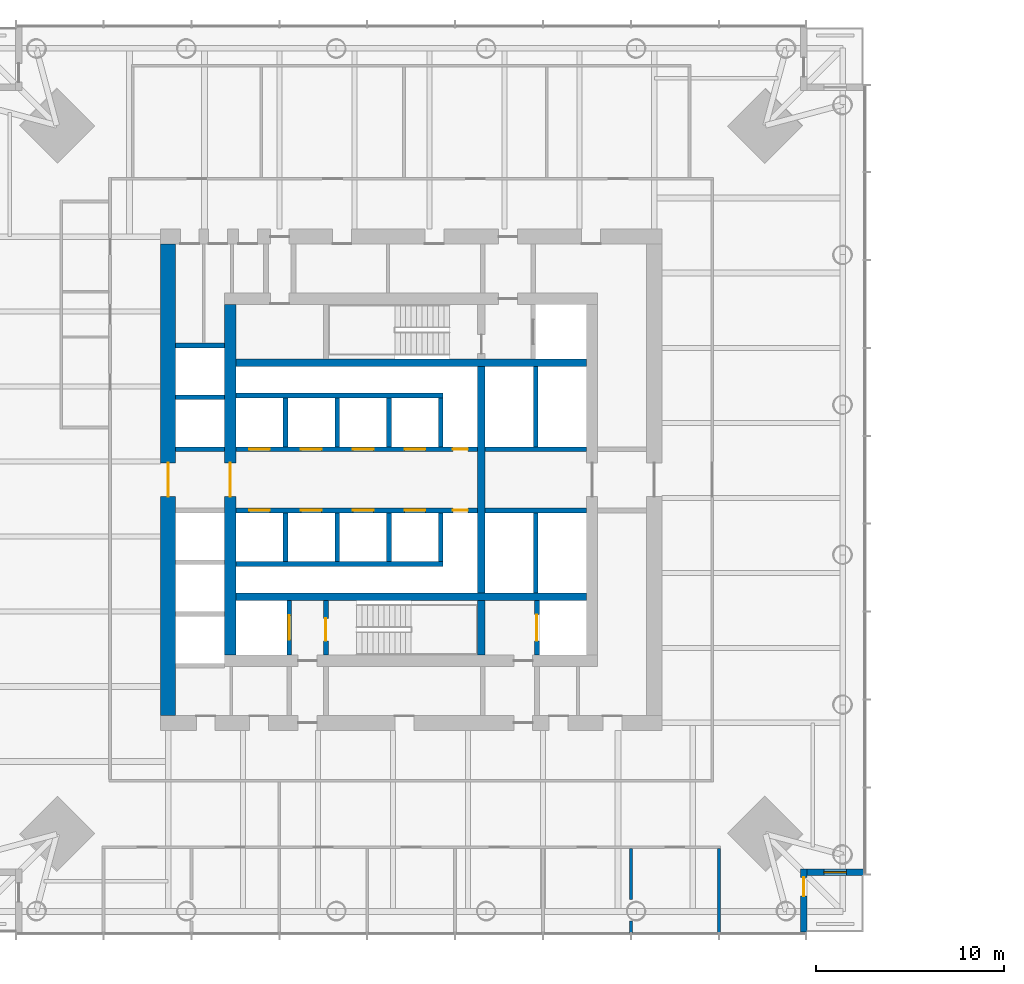
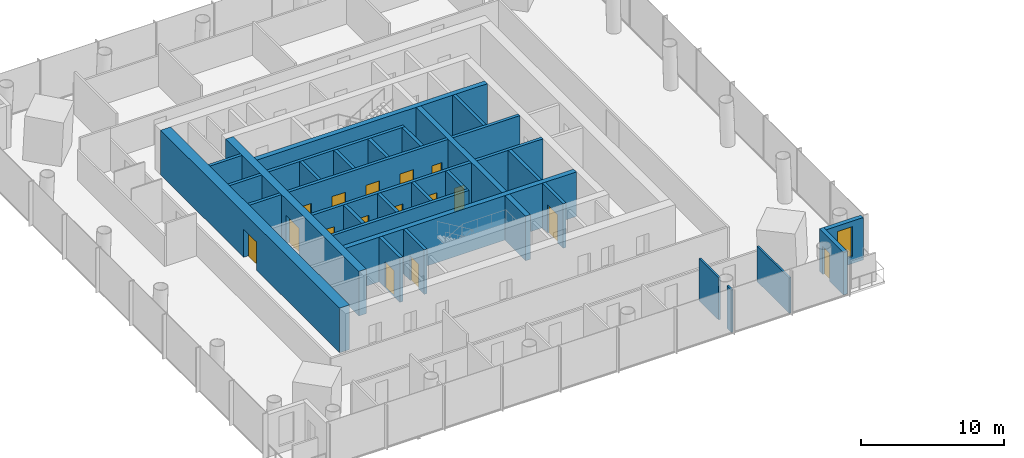
# One storey, part 9 of 18: 33 walls, 16 doors, 1 window, 17 openings.
"""IFC4 building model written with IfcOpenShell, lengths in metres."""

from ifc_helpers import new_model, si_unit, direction, frame, frame_2d, origin, place, context, subcontext, project, spatial, rectangle, extrude, material, layer, layer_set, type_object, element, fill, save


model = new_model("IFC4")

# Units and contexts
model_context = context("Model", 3, precision=1e-05, world=origin(), true_north=direction((0.0, 1.0)))
body_context = subcontext(model_context, "Body", "Model", "MODEL_VIEW")
ifc_project = project(units=[si_unit("LENGTHUNIT", "METRE"), si_unit("AREAUNIT", "SQUARE_METRE"), si_unit("VOLUMEUNIT", "CUBIC_METRE"), si_unit("PLANEANGLEUNIT", "RADIAN"), si_unit("MASSUNIT", "GRAM", prefix="KILO")], contexts=[model_context])

# Site, building, storey
site_placement = place(None, origin())
site = spatial("IfcSite", under=ifc_project, at=site_placement, CompositionType="ELEMENT")
building_placement = place(site_placement, origin())
building = spatial("IfcBuilding", under=site, at=building_placement, Name="Ostroluk Exchange", CompositionType="ELEMENT")
storey_placement = place(building_placement, frame((0.0, 0.0, 55.199951171875)))
storey = spatial("IfcBuildingStorey", under=building, at=storey_placement, Name="L13", CompositionType="ELEMENT", Elevation=55.199951171875)

# Walls
ifc_material_1 = material(Name="Concrete C50/60", Category="concrete")
ifc_layer_1 = layer(ifc_material_1, 0.39990234375)
ifc_layer_set_1 = layer_set([ifc_layer_1], Name="Core cross wall 400 C50/60")
wall_type_1 = type_object("IfcWallType", Name="Core cross wall 400 C50/60", PredefinedType="SHEAR", material=ifc_layer_set_1)
for number, where, z_axis, x_axis, name in (
    (1, (35.699951171875, 39.800048828125, 0.0), (0.0, 0.0, 1.0), (1.0, 0.0, 0.0), "T1 core wall XS"),
    (2, (35.699951171875, 52.199951171875, 0.0), (0.0, 0.0, 1.0), (1.0, 0.0, 0.0), "T1 core wall XN"),
):
    element("IfcWall", number, at=place(storey_placement, frame(where, z_axis=z_axis, x_axis=x_axis)), inside=storey, type_object=wall_type_1, Name=name, PredefinedType="SHEAR", context=body_context, shape_type="SweptSolid", body=[
        extrude(rectangle(XDim=18.60009765625, YDim=0.39990234375, at=frame_2d((9.300048828125, 0.0))), origin(), (0.0, 0.0, 1.0), 3.800048828125),
    ])
wall_1_placement = place(storey_placement, frame((48.72998046875, 36.699951171875, 0.0), z_axis=(0.0, 0.0, 1.0), x_axis=(0.0, 1.0, 0.0)))
element("IfcWall", 3, at=wall_1_placement, inside=storey, type_object=wall_type_1, Name="T1 core wall YE1", PredefinedType="SHEAR", context=body_context, shape_type="SweptSolid", body=[
    extrude(rectangle(XDim=2.900146484375, YDim=0.39990234375, at=frame_2d((1.4501953125, 0.0))), origin(), (0.0, 0.0, 1.0), 3.800048828125),
])
wall_2_placement = place(storey_placement, frame((48.72998046875, 40.0, 0.0), z_axis=(0.0, 0.0, 1.0), x_axis=(0.0, 1.0, 0.0)))
element("IfcWall", 4, at=wall_2_placement, inside=storey, type_object=wall_type_1, Name="T1 core wall YE2", PredefinedType="SHEAR", context=body_context, shape_type="SweptSolid", body=[
    extrude(rectangle(XDim=12.0, YDim=0.39990234375, at=frame_2d((6.0, 0.0))), origin(), (0.0, 0.0, 1.0), 3.800048828125),
])

# Wall, opening, door
ifc_material_2 = material(Name="Concrete C40/50", Category="concrete")
ifc_layer_2 = layer(ifc_material_2, 0.25)
ifc_layer_set_2 = layer_set([ifc_layer_2], Name="Core shaft wall 250")
wall_type_2 = type_object("IfcWallType", Name="Core shaft wall 250", PredefinedType="SHEAR", material=ifc_layer_set_2)
wall_3_placement = place(storey_placement, frame((38.52490234375, 36.699951171875, 0.0), z_axis=(0.0, 0.0, 1.0), x_axis=(0.0, 1.0, 0.0)))
wall_3 = element("IfcWall", 5, at=wall_3_placement, inside=storey, type_object=wall_type_2, Name="Firefighting lift shaft wall", PredefinedType="SHEAR", context=body_context, shape_type="SweptSolid", body=[
    extrude(rectangle(XDim=2.900146484375, YDim=0.25, at=frame_2d((1.4501953125, 0.0))), origin(), (0.0, 0.0, 1.0), 3.800048828125),
])
opening_1_placement = place(wall_3_placement, frame((0.800048828125, 0.0, 0.0)))
opening_1 = element("IfcOpeningElement", 6, at=opening_1_placement, cuts=wall_3, Name="Opening LD2", PredefinedType="OPENING", context=body_context, shape_type="SweptSolid", body=[
    extrude(rectangle(XDim=1.300048828125, YDim=2.199951171875, at=frame_2d((0.64990234375, 1.10009765625))), frame((0.0, 0.135009765625, 0.0), z_axis=(0.0, -1.0, 0.0), x_axis=(1.0, 0.0, 0.0)), (0.0, 0.0, 1.0), 0.27001953125),
])
ifc_material_3 = material(Name="Stainless steel", Category="steel")
door_type_1 = type_object("IfcDoorType", Name="Lift landing door E 60 1300 x 2200", OperationType="DOUBLE_DOOR_SLIDING", PredefinedType="DOOR", material=ifc_material_3)
door_1_placement = place(opening_1_placement, origin())
door_1 = element("IfcDoor", 7, at=door_1_placement, inside=storey, type_object=door_type_1, Name="Lift FL1 landing door", OperationType="DOUBLE_DOOR_SLIDING", OverallHeight=2.199951171875, OverallWidth=1.300048828125, PredefinedType="DOOR", context=body_context, shape_type="SweptSolid", body=[
    extrude(rectangle(XDim=1.300048828125, YDim=2.199951171875, at=frame_2d((0.64990234375, 1.10009765625))), frame((0.0, 0.02490234375, 0.0), z_axis=(0.0, -1.0, 0.0), x_axis=(1.0, 0.0, 0.0)), (0.0, 0.0, 1.0), 0.050048828125),
])
fill(opening_1, door_1)

wall_4_placement = place(storey_placement, frame((40.47509765625, 36.699951171875, 0.0), z_axis=(0.0, 0.0, 1.0), x_axis=(0.0, 1.0, 0.0)))
wall_4 = element("IfcWall", 8, at=wall_4_placement, inside=storey, type_object=wall_type_2, Name="Stair shaft wall", PredefinedType="SHEAR", context=body_context, shape_type="SweptSolid", body=[
    extrude(rectangle(XDim=2.900146484375, YDim=0.25, at=frame_2d((1.4501953125, 0.0))), origin(), (0.0, 0.0, 1.0), 3.800048828125),
])
opening_2_placement = place(wall_4_placement, frame((0.75, 0.0, 0.0)))
opening_2 = element("IfcOpeningElement", 9, at=opening_2_placement, cuts=wall_4, Name="Opening FD60S", PredefinedType="OPENING", context=body_context, shape_type="SweptSolid", body=[
    extrude(rectangle(XDim=1.199951171875, YDim=2.10009765625, at=frame_2d((0.60009765625, 1.050048828125))), frame((0.0, 0.135009765625, 0.0), z_axis=(0.0, -1.0, 0.0), x_axis=(1.0, 0.0, 0.0)), (0.0, 0.0, 1.0), 0.27001953125),
])
ifc_material_4 = material(Name="Steel", Category="steel")
door_type_2 = type_object("IfcDoorType", Name="Stair door EI 60 1200 x 2100", OperationType="SINGLE_SWING_LEFT", PredefinedType="DOOR", material=ifc_material_4)
door_2_placement = place(opening_2_placement, origin())
door_2 = element("IfcDoor", 10, at=door_2_placement, inside=storey, type_object=door_type_2, Name="Stair T1-S1 door", OperationType="SINGLE_SWING_LEFT", OverallHeight=2.10009765625, OverallWidth=1.199951171875, PredefinedType="DOOR", context=body_context, shape_type="SweptSolid", body=[
    extrude(rectangle(XDim=1.199951171875, YDim=2.10009765625, at=frame_2d((0.60009765625, 1.050048828125))), frame((0.0, 0.02490234375, 0.0), z_axis=(0.0, -1.0, 0.0), x_axis=(1.0, 0.0, 0.0)), (0.0, 0.0, 1.0), 0.050048828125),
])
fill(opening_2, door_2)

wall_5_placement = place(storey_placement, frame((51.675048828125, 36.699951171875, 0.0), z_axis=(0.0, 0.0, 1.0), x_axis=(0.0, 1.0, 0.0)))
wall_5 = element("IfcWall", 11, at=wall_5_placement, inside=storey, type_object=wall_type_2, Name="Service lift shaft wall", PredefinedType="SHEAR", context=body_context, shape_type="SweptSolid", body=[
    extrude(rectangle(XDim=2.900146484375, YDim=0.25, at=frame_2d((1.4501953125, 0.0))), origin(), (0.0, 0.0, 1.0), 3.800048828125),
])
opening_3_placement = place(wall_5_placement, frame((0.75, 0.0, 0.0)))
opening_3 = element("IfcOpeningElement", 12, at=opening_3_placement, cuts=wall_5, Name="Opening LD3", PredefinedType="OPENING", context=body_context, shape_type="SweptSolid", body=[
    extrude(rectangle(XDim=1.39990234375, YDim=2.39990234375, at=frame_2d((0.699951171875, 1.199951171875))), frame((0.0, 0.135009765625, 0.0), z_axis=(0.0, -1.0, 0.0), x_axis=(1.0, 0.0, 0.0)), (0.0, 0.0, 1.0), 0.27001953125),
])
ifc_material_5 = material(Name="Stainless steel", Category="steel")
door_type_3 = type_object("IfcDoorType", Name="Goods lift landing door E 60 1400 x 2400", OperationType="DOUBLE_DOOR_SLIDING", PredefinedType="DOOR", material=ifc_material_5)
door_3_placement = place(opening_3_placement, origin())
door_3 = element("IfcDoor", 13, at=door_3_placement, inside=storey, type_object=door_type_3, Name="Lift SL1 landing door", OperationType="DOUBLE_DOOR_SLIDING", OverallHeight=2.39990234375, OverallWidth=1.39990234375, PredefinedType="DOOR", context=body_context, shape_type="SweptSolid", body=[
    extrude(rectangle(XDim=1.39990234375, YDim=2.39990234375, at=frame_2d((0.699951171875, 1.199951171875))), frame((0.0, 0.02490234375, 0.0), z_axis=(0.0, -1.0, 0.0), x_axis=(1.0, 0.0, 0.0)), (0.0, 0.0, 1.0), 0.050048828125),
])
fill(opening_3, door_3)

# Walls
for number, where, z_axis, x_axis, name in (
    (14, (38.324951171875, 47.75, 0.0), (0.0, 0.0, 1.0), (0.0, 1.0, 0.0), "Lift shaft wall"),
    (15, (41.074951171875, 47.75, 0.0), (0.0, 0.0, 1.0), (0.0, 1.0, 0.0), "Lift shaft wall"),
    (16, (43.824951171875, 47.75, 0.0), (0.0, 0.0, 1.0), (0.0, 1.0, 0.0), "Lift shaft wall"),
    (17, (46.574951171875, 47.75, 0.0), (0.0, 0.0, 1.0), (0.0, 1.0, 0.0), "Lift shaft wall"),
):
    element("IfcWall", number, at=place(storey_placement, frame(where, z_axis=z_axis, x_axis=x_axis)), inside=storey, type_object=wall_type_2, Name=name, PredefinedType="SHEAR", context=body_context, shape_type="SweptSolid", body=[
        extrude(rectangle(XDim=2.60009765625, YDim=0.25, at=frame_2d((1.300048828125, 0.0))), origin(), (0.0, 0.0, 1.0), 3.800048828125),
    ])
wall_6_placement = place(storey_placement, frame((35.699951171875, 50.47509765625, 0.0), z_axis=(0.0, 0.0, 1.0), x_axis=(1.0, 0.0, 0.0)))
element("IfcWall", 18, at=wall_6_placement, inside=storey, type_object=wall_type_2, Name="Lift shaft wall", PredefinedType="SHEAR", context=body_context, shape_type="SweptSolid", body=[
    extrude(rectangle(XDim=11.0, YDim=0.25, at=frame_2d((5.5, 0.0))), origin(), (0.0, 0.0, 1.0), 3.800048828125),
])

# Wall, openings, doors
wall_7_placement = place(storey_placement, frame((35.699951171875, 47.625, 0.0), z_axis=(0.0, 0.0, 1.0), x_axis=(1.0, 0.0, 0.0)))
wall_7 = element("IfcWall", 19, at=wall_7_placement, inside=storey, type_object=wall_type_2, Name="Lift shaft front wall", PredefinedType="SHEAR", context=body_context, shape_type="SweptSolid", body=[
    extrude(rectangle(XDim=12.830078125, YDim=0.25, at=frame_2d((6.4150390625, 0.0))), origin(), (0.0, 0.0, 1.0), 3.800048828125),
])
opening_4_placement = place(wall_7_placement, frame((0.699951171875, 0.0, 0.0)))
opening_4 = element("IfcOpeningElement", 20, at=opening_4_placement, cuts=wall_7, Name="Opening LD", PredefinedType="OPENING", context=body_context, shape_type="SweptSolid", body=[
    extrude(rectangle(XDim=1.10009765625, YDim=2.199951171875, at=frame_2d((0.550048828125, 1.10009765625))), frame((0.0, 0.135009765625, 0.0), z_axis=(0.0, -1.0, 0.0), x_axis=(1.0, 0.0, 0.0)), (0.0, 0.0, 1.0), 0.27001953125),
])
opening_5_placement = place(wall_7_placement, frame((3.449951171875, 0.0, 0.0)))
opening_5 = element("IfcOpeningElement", 21, at=opening_5_placement, cuts=wall_7, Name="Opening LD", PredefinedType="OPENING", context=body_context, shape_type="SweptSolid", body=[
    extrude(rectangle(XDim=1.10009765625, YDim=2.199951171875, at=frame_2d((0.550048828125, 1.10009765625))), frame((0.0, 0.135009765625, 0.0), z_axis=(0.0, -1.0, 0.0), x_axis=(1.0, 0.0, 0.0)), (0.0, 0.0, 1.0), 0.27001953125),
])
opening_6_placement = place(wall_7_placement, frame((6.199951171875, 0.0, 0.0)))
opening_6 = element("IfcOpeningElement", 22, at=opening_6_placement, cuts=wall_7, Name="Opening LD", PredefinedType="OPENING", context=body_context, shape_type="SweptSolid", body=[
    extrude(rectangle(XDim=1.10009765625, YDim=2.199951171875, at=frame_2d((0.550048828125, 1.10009765625))), frame((0.0, 0.135009765625, 0.0), z_axis=(0.0, -1.0, 0.0), x_axis=(1.0, 0.0, 0.0)), (0.0, 0.0, 1.0), 0.27001953125),
])
opening_7_placement = place(wall_7_placement, frame((8.949951171875, 0.0, 0.0)))
opening_7 = element("IfcOpeningElement", 23, at=opening_7_placement, cuts=wall_7, Name="Opening LD", PredefinedType="OPENING", context=body_context, shape_type="SweptSolid", body=[
    extrude(rectangle(XDim=1.10009765625, YDim=2.199951171875, at=frame_2d((0.550048828125, 1.10009765625))), frame((0.0, 0.135009765625, 0.0), z_axis=(0.0, -1.0, 0.0), x_axis=(1.0, 0.0, 0.0)), (0.0, 0.0, 1.0), 0.27001953125),
])
opening_8_placement = place(wall_7_placement, frame((11.514892578125, 0.0, 0.0)))
opening_8 = element("IfcOpeningElement", 24, at=opening_8_placement, cuts=wall_7, Name="Opening RD60", PredefinedType="OPENING", context=body_context, shape_type="SweptSolid", body=[
    extrude(rectangle(XDim=0.800048828125, YDim=2.0, at=frame_2d((0.39990234375, 1.0))), frame((0.0, 0.135009765625, 0.0), z_axis=(0.0, -1.0, 0.0), x_axis=(1.0, 0.0, 0.0)), (0.0, 0.0, 1.0), 0.27001953125),
])
ifc_material_6 = material(Name="Stainless steel", Category="steel")
door_type_4 = type_object("IfcDoorType", Name="Lift landing door E 60 1100 x 2200", OperationType="DOUBLE_DOOR_SLIDING", PredefinedType="DOOR", material=ifc_material_6)
door_4_placement = place(opening_4_placement, origin())
door_4 = element("IfcDoor", 25, at=door_4_placement, inside=storey, type_object=door_type_4, Name="Lift PL-L1 landing door", OperationType="DOUBLE_DOOR_SLIDING", OverallHeight=2.199951171875, OverallWidth=1.10009765625, PredefinedType="DOOR", context=body_context, shape_type="SweptSolid", body=[
    extrude(rectangle(XDim=1.10009765625, YDim=2.199951171875, at=frame_2d((0.550048828125, 1.10009765625))), frame((0.0, 0.02490234375, 0.0), z_axis=(0.0, -1.0, 0.0), x_axis=(1.0, 0.0, 0.0)), (0.0, 0.0, 1.0), 0.050048828125),
])
fill(opening_4, door_4)
door_5_placement = place(opening_5_placement, origin())
door_5 = element("IfcDoor", 26, at=door_5_placement, inside=storey, type_object=door_type_4, Name="Lift PL-L2 landing door", OperationType="DOUBLE_DOOR_SLIDING", OverallHeight=2.199951171875, OverallWidth=1.10009765625, PredefinedType="DOOR", context=body_context, shape_type="SweptSolid", body=[
    extrude(rectangle(XDim=1.10009765625, YDim=2.199951171875, at=frame_2d((0.550048828125, 1.10009765625))), frame((0.0, 0.02490234375, 0.0), z_axis=(0.0, -1.0, 0.0), x_axis=(1.0, 0.0, 0.0)), (0.0, 0.0, 1.0), 0.050048828125),
])
fill(opening_5, door_5)
door_6_placement = place(opening_6_placement, origin())
door_6 = element("IfcDoor", 27, at=door_6_placement, inside=storey, type_object=door_type_4, Name="Lift PL-L3 landing door", OperationType="DOUBLE_DOOR_SLIDING", OverallHeight=2.199951171875, OverallWidth=1.10009765625, PredefinedType="DOOR", context=body_context, shape_type="SweptSolid", body=[
    extrude(rectangle(XDim=1.10009765625, YDim=2.199951171875, at=frame_2d((0.550048828125, 1.10009765625))), frame((0.0, 0.02490234375, 0.0), z_axis=(0.0, -1.0, 0.0), x_axis=(1.0, 0.0, 0.0)), (0.0, 0.0, 1.0), 0.050048828125),
])
fill(opening_6, door_6)
door_7_placement = place(opening_7_placement, origin())
door_7 = element("IfcDoor", 28, at=door_7_placement, inside=storey, type_object=door_type_4, Name="Lift PL-L4 landing door", OperationType="DOUBLE_DOOR_SLIDING", OverallHeight=2.199951171875, OverallWidth=1.10009765625, PredefinedType="DOOR", context=body_context, shape_type="SweptSolid", body=[
    extrude(rectangle(XDim=1.10009765625, YDim=2.199951171875, at=frame_2d((0.550048828125, 1.10009765625))), frame((0.0, 0.02490234375, 0.0), z_axis=(0.0, -1.0, 0.0), x_axis=(1.0, 0.0, 0.0)), (0.0, 0.0, 1.0), 0.050048828125),
])
fill(opening_7, door_7)
ifc_material_7 = material(Name="Steel", Category="steel")
door_type_5 = type_object("IfcDoorType", Name="Riser access door EI 60 800 x 2000", OperationType="SINGLE_SWING_LEFT", PredefinedType="DOOR", material=ifc_material_7)
door_8_placement = place(opening_8_placement, origin())
door_8 = element("IfcDoor", 29, at=door_8_placement, inside=storey, type_object=door_type_5, Name="Riser access door", OperationType="SINGLE_SWING_RIGHT", OverallHeight=2.0, OverallWidth=0.800048828125, PredefinedType="DOOR", context=body_context, shape_type="SweptSolid", body=[
    extrude(rectangle(XDim=0.800048828125, YDim=2.0, at=frame_2d((0.39990234375, 1.0))), frame((0.0, 0.02490234375, 0.0), z_axis=(0.0, -1.0, 0.0), x_axis=(1.0, 0.0, 0.0)), (0.0, 0.0, 1.0), 0.050048828125),
])
fill(opening_8, door_8)

# Walls
for number, where, z_axis, x_axis, name in (
    (30, (38.324951171875, 44.25, 0.0), (0.0, 0.0, 1.0), (0.0, -1.0, 0.0), "Lift shaft wall"),
    (31, (41.074951171875, 44.25, 0.0), (0.0, 0.0, 1.0), (0.0, -1.0, 0.0), "Lift shaft wall"),
    (32, (43.824951171875, 44.25, 0.0), (0.0, 0.0, 1.0), (0.0, -1.0, 0.0), "Lift shaft wall"),
    (33, (46.574951171875, 44.25, 0.0), (0.0, 0.0, 1.0), (0.0, -1.0, 0.0), "Lift shaft wall"),
):
    element("IfcWall", number, at=place(storey_placement, frame(where, z_axis=z_axis, x_axis=x_axis)), inside=storey, type_object=wall_type_2, Name=name, PredefinedType="SHEAR", context=body_context, shape_type="SweptSolid", body=[
        extrude(rectangle(XDim=2.60009765625, YDim=0.25, at=frame_2d((1.300048828125, 0.0))), origin(), (0.0, 0.0, 1.0), 3.800048828125),
    ])
wall_8_placement = place(storey_placement, frame((35.699951171875, 41.52490234375, 0.0), z_axis=(0.0, 0.0, 1.0), x_axis=(1.0, 0.0, 0.0)))
element("IfcWall", 34, at=wall_8_placement, inside=storey, type_object=wall_type_2, Name="Lift shaft wall", PredefinedType="SHEAR", context=body_context, shape_type="SweptSolid", body=[
    extrude(rectangle(XDim=11.0, YDim=0.25, at=frame_2d((5.5, 0.0))), origin(), (0.0, 0.0, 1.0), 3.800048828125),
])

# Wall, openings, doors
wall_9_placement = place(storey_placement, frame((35.699951171875, 44.375, 0.0), z_axis=(0.0, 0.0, 1.0), x_axis=(1.0, 0.0, 0.0)))
wall_9 = element("IfcWall", 35, at=wall_9_placement, inside=storey, type_object=wall_type_2, Name="Lift shaft front wall", PredefinedType="SHEAR", context=body_context, shape_type="SweptSolid", body=[
    extrude(rectangle(XDim=12.830078125, YDim=0.25, at=frame_2d((6.4150390625, 0.0))), origin(), (0.0, 0.0, 1.0), 3.800048828125),
])
opening_9_placement = place(wall_9_placement, frame((0.699951171875, 0.0, 0.0)))
opening_9 = element("IfcOpeningElement", 36, at=opening_9_placement, cuts=wall_9, Name="Opening LD", PredefinedType="OPENING", context=body_context, shape_type="SweptSolid", body=[
    extrude(rectangle(XDim=1.10009765625, YDim=2.199951171875, at=frame_2d((0.550048828125, 1.10009765625))), frame((0.0, 0.135009765625, 0.0), z_axis=(0.0, -1.0, 0.0), x_axis=(1.0, 0.0, 0.0)), (0.0, 0.0, 1.0), 0.27001953125),
])
opening_10_placement = place(wall_9_placement, frame((3.449951171875, 0.0, 0.0)))
opening_10 = element("IfcOpeningElement", 37, at=opening_10_placement, cuts=wall_9, Name="Opening LD", PredefinedType="OPENING", context=body_context, shape_type="SweptSolid", body=[
    extrude(rectangle(XDim=1.10009765625, YDim=2.199951171875, at=frame_2d((0.550048828125, 1.10009765625))), frame((0.0, 0.135009765625, 0.0), z_axis=(0.0, -1.0, 0.0), x_axis=(1.0, 0.0, 0.0)), (0.0, 0.0, 1.0), 0.27001953125),
])
opening_11_placement = place(wall_9_placement, frame((6.199951171875, 0.0, 0.0)))
opening_11 = element("IfcOpeningElement", 38, at=opening_11_placement, cuts=wall_9, Name="Opening LD", PredefinedType="OPENING", context=body_context, shape_type="SweptSolid", body=[
    extrude(rectangle(XDim=1.10009765625, YDim=2.199951171875, at=frame_2d((0.550048828125, 1.10009765625))), frame((0.0, 0.135009765625, 0.0), z_axis=(0.0, -1.0, 0.0), x_axis=(1.0, 0.0, 0.0)), (0.0, 0.0, 1.0), 0.27001953125),
])
opening_12_placement = place(wall_9_placement, frame((8.949951171875, 0.0, 0.0)))
opening_12 = element("IfcOpeningElement", 39, at=opening_12_placement, cuts=wall_9, Name="Opening LD", PredefinedType="OPENING", context=body_context, shape_type="SweptSolid", body=[
    extrude(rectangle(XDim=1.10009765625, YDim=2.199951171875, at=frame_2d((0.550048828125, 1.10009765625))), frame((0.0, 0.135009765625, 0.0), z_axis=(0.0, -1.0, 0.0), x_axis=(1.0, 0.0, 0.0)), (0.0, 0.0, 1.0), 0.27001953125),
])
opening_13_placement = place(wall_9_placement, frame((11.514892578125, 0.0, 0.0)))
opening_13 = element("IfcOpeningElement", 40, at=opening_13_placement, cuts=wall_9, Name="Opening RD60", PredefinedType="OPENING", context=body_context, shape_type="SweptSolid", body=[
    extrude(rectangle(XDim=0.800048828125, YDim=2.0, at=frame_2d((0.39990234375, 1.0))), frame((0.0, 0.135009765625, 0.0), z_axis=(0.0, -1.0, 0.0), x_axis=(1.0, 0.0, 0.0)), (0.0, 0.0, 1.0), 0.27001953125),
])
door_9_placement = place(opening_9_placement, origin())
door_9 = element("IfcDoor", 41, at=door_9_placement, inside=storey, type_object=door_type_4, Name="Lift PL-L5 landing door", OperationType="DOUBLE_DOOR_SLIDING", OverallHeight=2.199951171875, OverallWidth=1.10009765625, PredefinedType="DOOR", context=body_context, shape_type="SweptSolid", body=[
    extrude(rectangle(XDim=1.10009765625, YDim=2.199951171875, at=frame_2d((0.550048828125, 1.10009765625))), frame((0.0, 0.02490234375, 0.0), z_axis=(0.0, -1.0, 0.0), x_axis=(1.0, 0.0, 0.0)), (0.0, 0.0, 1.0), 0.050048828125),
])
fill(opening_9, door_9)
door_10_placement = place(opening_10_placement, origin())
door_10 = element("IfcDoor", 42, at=door_10_placement, inside=storey, type_object=door_type_4, Name="Lift PL-L6 landing door", OperationType="DOUBLE_DOOR_SLIDING", OverallHeight=2.199951171875, OverallWidth=1.10009765625, PredefinedType="DOOR", context=body_context, shape_type="SweptSolid", body=[
    extrude(rectangle(XDim=1.10009765625, YDim=2.199951171875, at=frame_2d((0.550048828125, 1.10009765625))), frame((0.0, 0.02490234375, 0.0), z_axis=(0.0, -1.0, 0.0), x_axis=(1.0, 0.0, 0.0)), (0.0, 0.0, 1.0), 0.050048828125),
])
fill(opening_10, door_10)
door_11_placement = place(opening_11_placement, origin())
door_11 = element("IfcDoor", 43, at=door_11_placement, inside=storey, type_object=door_type_4, Name="Lift PL-L7 landing door", OperationType="DOUBLE_DOOR_SLIDING", OverallHeight=2.199951171875, OverallWidth=1.10009765625, PredefinedType="DOOR", context=body_context, shape_type="SweptSolid", body=[
    extrude(rectangle(XDim=1.10009765625, YDim=2.199951171875, at=frame_2d((0.550048828125, 1.10009765625))), frame((0.0, 0.02490234375, 0.0), z_axis=(0.0, -1.0, 0.0), x_axis=(1.0, 0.0, 0.0)), (0.0, 0.0, 1.0), 0.050048828125),
])
fill(opening_11, door_11)
door_12_placement = place(opening_12_placement, origin())
door_12 = element("IfcDoor", 44, at=door_12_placement, inside=storey, type_object=door_type_4, Name="Lift PL-L8 landing door", OperationType="DOUBLE_DOOR_SLIDING", OverallHeight=2.199951171875, OverallWidth=1.10009765625, PredefinedType="DOOR", context=body_context, shape_type="SweptSolid", body=[
    extrude(rectangle(XDim=1.10009765625, YDim=2.199951171875, at=frame_2d((0.550048828125, 1.10009765625))), frame((0.0, 0.02490234375, 0.0), z_axis=(0.0, -1.0, 0.0), x_axis=(1.0, 0.0, 0.0)), (0.0, 0.0, 1.0), 0.050048828125),
])
fill(opening_12, door_12)
door_13_placement = place(opening_13_placement, origin())
door_13 = element("IfcDoor", 45, at=door_13_placement, inside=storey, type_object=door_type_5, Name="Riser access door", OperationType="SINGLE_SWING_RIGHT", OverallHeight=2.0, OverallWidth=0.800048828125, PredefinedType="DOOR", context=body_context, shape_type="SweptSolid", body=[
    extrude(rectangle(XDim=0.800048828125, YDim=2.0, at=frame_2d((0.39990234375, 1.0))), frame((0.0, 0.02490234375, 0.0), z_axis=(0.0, -1.0, 0.0), x_axis=(1.0, 0.0, 0.0)), (0.0, 0.0, 1.0), 0.050048828125),
])
fill(opening_13, door_13)

# Walls
wall_10_placement = place(storey_placement, frame((51.614990234375, 47.75, 0.0), z_axis=(0.0, 0.0, 1.0), x_axis=(0.0, 1.0, 0.0)))
element("IfcWall", 46, at=wall_10_placement, inside=storey, type_object=wall_type_2, Name="Lift shaft wall", PredefinedType="SHEAR", context=body_context, shape_type="SweptSolid", body=[
    extrude(rectangle(XDim=4.25, YDim=0.25, at=frame_2d((2.125, 0.0))), origin(), (0.0, 0.0, 1.0), 3.800048828125),
])
wall_11_placement = place(storey_placement, frame((48.929931640625, 47.625, 0.0), z_axis=(0.0, 0.0, 1.0), x_axis=(1.0, 0.0, 0.0)))
element("IfcWall", 47, at=wall_11_placement, inside=storey, type_object=wall_type_2, Name="Lift shaft front wall", PredefinedType="SHEAR", context=body_context, shape_type="SweptSolid", body=[
    extrude(rectangle(XDim=5.3701171875, YDim=0.25, at=frame_2d((2.68505859375, 0.0))), origin(), (0.0, 0.0, 1.0), 3.800048828125),
])
wall_12_placement = place(storey_placement, frame((51.614990234375, 44.25, 0.0), z_axis=(0.0, 0.0, 1.0), x_axis=(0.0, -1.0, 0.0)))
element("IfcWall", 48, at=wall_12_placement, inside=storey, type_object=wall_type_2, Name="Lift shaft wall", PredefinedType="SHEAR", context=body_context, shape_type="SweptSolid", body=[
    extrude(rectangle(XDim=4.25, YDim=0.25, at=frame_2d((2.125, 0.0))), origin(), (0.0, 0.0, 1.0), 3.800048828125),
])
wall_13_placement = place(storey_placement, frame((48.929931640625, 44.375, 0.0), z_axis=(0.0, 0.0, 1.0), x_axis=(1.0, 0.0, 0.0)))
element("IfcWall", 49, at=wall_13_placement, inside=storey, type_object=wall_type_2, Name="Lift shaft front wall", PredefinedType="SHEAR", context=body_context, shape_type="SweptSolid", body=[
    extrude(rectangle(XDim=5.3701171875, YDim=0.25, at=frame_2d((2.68505859375, 0.0))), origin(), (0.0, 0.0, 1.0), 3.800048828125),
])
for number, where, z_axis, x_axis, name in (
    (50, (32.5, 47.625, 0.0), (0.0, 0.0, 1.0), (1.0, 0.0, 0.0), "Lift shaft wall"),
    (51, (32.5, 50.375, 0.0), (0.0, 0.0, 1.0), (1.0, 0.0, 0.0), "Lift shaft wall"),
    (52, (32.5, 53.125, 0.0), (0.0, 0.0, 1.0), (1.0, 0.0, 0.0), "Lift shaft wall"),
):
    element("IfcWall", number, at=place(storey_placement, frame(where, z_axis=z_axis, x_axis=x_axis)), inside=storey, type_object=wall_type_2, Name=name, PredefinedType="SHEAR", context=body_context, shape_type="SweptSolid", body=[
        extrude(rectangle(XDim=2.60009765625, YDim=0.25, at=frame_2d((1.300048828125, 0.0))), origin(), (0.0, 0.0, 1.0), 3.800048828125),
    ])

# Wall, opening, door
ifc_material_8 = material(Name="Concrete C50/60", Category="concrete")
ifc_layer_3 = layer(ifc_material_8, 0.60009765625)
ifc_layer_set_3 = layer_set([ifc_layer_3], Name="Core wall 600 C50/60")
wall_type_3 = type_object("IfcWallType", Name="Core wall 600 C50/60", PredefinedType="SHEAR", material=ifc_layer_set_3)
wall_14_placement = place(storey_placement, frame((35.39990234375, 36.699951171875, 0.0), z_axis=(0.0, 0.0, 1.0), x_axis=(0.0, 1.0, 0.0)))
wall_14 = element("IfcWall", 53, at=wall_14_placement, inside=storey, type_object=wall_type_3, Name="T1 core wall W", PredefinedType="SHEAR", context=body_context, shape_type="SweptSolid", body=[
    extrude(rectangle(XDim=18.60009765625, YDim=0.60009765625, at=frame_2d((9.300048828125, 0.0))), origin(), (0.0, 0.0, 1.0), 3.800048828125),
])
opening_14_placement = place(wall_14_placement, frame((8.39990234375, 0.0, 0.0)))
opening_14 = element("IfcOpeningElement", 54, at=opening_14_placement, cuts=wall_14, Name="Opening FD30D", PredefinedType="OPENING", context=body_context, shape_type="SweptSolid", body=[
    extrude(rectangle(XDim=1.800048828125, YDim=2.39990234375, at=frame_2d((0.89990234375, 1.199951171875))), frame((0.0, 0.31005859375, 0.0), z_axis=(0.0, -1.0, 0.0), x_axis=(1.0, 0.0, 0.0)), (0.0, 0.0, 1.0), 0.6201171875),
])
ifc_material_9 = material(Name="Timber", Category="wood")
door_type_6 = type_object("IfcDoorType", Name="Lobby double door EI 30 1800 x 2400", OperationType="DOUBLE_DOOR_SINGLE_SWING", PredefinedType="DOOR", material=ifc_material_9)
door_14_placement = place(opening_14_placement, origin())
door_14 = element("IfcDoor", 55, at=door_14_placement, inside=storey, type_object=door_type_6, Name="Lift lobby doors", OperationType="DOUBLE_DOOR_SINGLE_SWING", OverallHeight=2.39990234375, OverallWidth=1.800048828125, PredefinedType="DOOR", context=body_context, shape_type="SweptSolid", body=[
    extrude(rectangle(XDim=1.800048828125, YDim=2.39990234375, at=frame_2d((0.89990234375, 1.199951171875))), frame((0.0, 0.02490234375, 0.0), z_axis=(0.0, -1.0, 0.0), x_axis=(1.0, 0.0, 0.0)), (0.0, 0.0, 1.0), 0.050048828125),
])
fill(opening_14, door_14)

ifc_material_10 = material(Name="Concrete C50/60", Category="concrete")
ifc_layer_4 = layer(ifc_material_10, 0.800048828125)
ifc_layer_set_4 = layer_set([ifc_layer_4], Name="Core wall 800 C50/60")
wall_type_4 = type_object("IfcWallType", Name="Core wall 800 C50/60", PredefinedType="SHEAR", material=ifc_layer_set_4)
wall_15_placement = place(storey_placement, frame((32.10009765625, 33.5, 0.0), z_axis=(0.0, 0.0, 1.0), x_axis=(0.0, 1.0, 0.0)))
wall_15 = element("IfcWall", 56, at=wall_15_placement, inside=storey, type_object=wall_type_4, Name="T1 core wall RW", PredefinedType="SHEAR", context=body_context, shape_type="SweptSolid", body=[
    extrude(rectangle(XDim=25.0, YDim=0.800048828125, at=frame_2d((12.5, 0.0))), origin(), (0.0, 0.0, 1.0), 3.800048828125),
])
opening_15_placement = place(wall_15_placement, frame((11.60009765625, 0.0, 0.0)))
opening_15 = element("IfcOpeningElement", 57, at=opening_15_placement, cuts=wall_15, Name="Opening FD30D", PredefinedType="OPENING", context=body_context, shape_type="SweptSolid", body=[
    extrude(rectangle(XDim=1.800048828125, YDim=2.39990234375, at=frame_2d((0.89990234375, 1.199951171875))), frame((0.0, 0.409912109375, 0.0), z_axis=(0.0, -1.0, 0.0), x_axis=(1.0, 0.0, 0.0)), (0.0, 0.0, 1.0), 0.820068359375),
])
door_15_placement = place(opening_15_placement, origin())
door_15 = element("IfcDoor", 58, at=door_15_placement, inside=storey, type_object=door_type_6, Name="Lift lobby doors", OperationType="DOUBLE_DOOR_SINGLE_SWING", OverallHeight=2.39990234375, OverallWidth=1.800048828125, PredefinedType="DOOR", context=body_context, shape_type="SweptSolid", body=[
    extrude(rectangle(XDim=1.800048828125, YDim=2.39990234375, at=frame_2d((0.89990234375, 1.199951171875))), frame((0.0, 0.02490234375, 0.0), z_axis=(0.0, -1.0, 0.0), x_axis=(1.0, 0.0, 0.0)), (0.0, 0.0, 1.0), 0.050048828125),
])
fill(opening_15, door_15)

ifc_material_11 = material(Name="Limestone", Category="masonry")
ifc_layer_5 = layer(ifc_material_11, 0.35009765625)
ifc_layer_set_5 = layer_set([ifc_layer_5], Name="Limestone facade wall 350")
wall_type_5 = type_object("IfcWallType", Name="Limestone facade wall 350", PredefinedType="SOLIDWALL", material=ifc_layer_set_5)
wall_16_placement = place(storey_placement, frame((65.824951171875, 22.0, 0.0), z_axis=(0.0, 0.0, 1.0), x_axis=(0.0, 1.0, 0.0)))
wall_16 = element("IfcWall", 59, at=wall_16_placement, inside=storey, type_object=wall_type_5, Name="Office tower SE corner wall L13 a", PredefinedType="SOLIDWALL", context=body_context, shape_type="SweptSolid", body=[
    extrude(rectangle(XDim=3.35009765625, YDim=0.35009765625, at=frame_2d((1.675048828125, 0.0))), origin(), (0.0, 0.0, 1.0), 3.6201171875),
])
opening_16_placement = place(wall_16_placement, frame((1.89990234375, 0.0, 0.0)))
opening_16 = element("IfcOpeningElement", 60, at=opening_16_placement, cuts=wall_16, Name="Opening D-B1", PredefinedType="OPENING", context=body_context, shape_type="SweptSolid", body=[
    extrude(rectangle(XDim=1.0, YDim=2.39990234375, at=frame_2d((0.5, 1.199951171875))), frame((0.0, 0.18505859375, 0.0), z_axis=(0.0, -1.0, 0.0), x_axis=(1.0, 0.0, 0.0)), (0.0, 0.0, 1.0), 0.3701171875),
])
ifc_material_12 = material(Name="Bronze framed glazed door", Category="aluminium")
door_type_7 = type_object("IfcDoorType", Name="Balcony door 1000 x 2400", OperationType="SINGLE_SWING_LEFT", PredefinedType="DOOR", material=ifc_material_12)
door_16_placement = place(opening_16_placement, origin())
door_16 = element("IfcDoor", 61, at=door_16_placement, inside=storey, type_object=door_type_7, Name="Office tower SE balcony door L13", OperationType="SINGLE_SWING_RIGHT", OverallHeight=2.39990234375, OverallWidth=1.0, PredefinedType="DOOR", context=body_context, shape_type="SweptSolid", body=[
    extrude(rectangle(XDim=1.0, YDim=2.39990234375, at=frame_2d((0.5, 1.199951171875))), frame((0.0, 0.02490234375, 0.0), z_axis=(0.0, -1.0, 0.0), x_axis=(1.0, 0.0, 0.0)), (0.0, 0.0, 1.0), 0.050048828125),
])
fill(opening_16, door_16)

# Wall, opening, window
wall_17_placement = place(storey_placement, frame((66.0, 25.175048828125, 0.0), z_axis=(0.0, 0.0, 1.0), x_axis=(1.0, 0.0, 0.0)))
wall_17 = element("IfcWall", 62, at=wall_17_placement, inside=storey, type_object=wall_type_5, Name="Office tower SE corner wall L13 b", PredefinedType="SOLIDWALL", context=body_context, shape_type="SweptSolid", body=[
    extrude(rectangle(XDim=3.0, YDim=0.35009765625, at=frame_2d((1.5, 0.0))), origin(), (0.0, 0.0, 1.0), 3.6201171875),
])
opening_17_placement = place(wall_17_placement, frame((0.89990234375, 0.0, 0.60009765625)))
opening_17 = element("IfcOpeningElement", 63, at=opening_17_placement, cuts=wall_17, Name="Opening WN-L1", PredefinedType="OPENING", context=body_context, shape_type="SweptSolid", body=[
    extrude(rectangle(XDim=1.199951171875, YDim=2.550048828125, at=frame_2d((0.60009765625, 1.27490234375))), frame((0.0, 0.18505859375, 0.0), z_axis=(0.0, -1.0, 0.0), x_axis=(1.0, 0.0, 0.0)), (0.0, 0.0, 1.0), 0.3701171875),
])
ifc_material_13 = material(Name="Laminated clear glass", Category="glass")
window_type = type_object("IfcWindowType", Name="Lancet window 1200 x 2550", PartitioningType="SINGLE_PANEL", PredefinedType="WINDOW", material=ifc_material_13)
window_placement = place(opening_17_placement, origin())
window = element("IfcWindow", 64, at=window_placement, inside=storey, type_object=window_type, Name="Office tower SE lancet window L13", OverallHeight=2.550048828125, OverallWidth=1.199951171875, PartitioningType="SINGLE_PANEL", PredefinedType="WINDOW", context=body_context, shape_type="SweptSolid", body=[
    extrude(rectangle(XDim=1.199951171875, YDim=2.550048828125, at=frame_2d((0.60009765625, 1.27490234375))), frame((0.0, 0.030029296875, 0.0), z_axis=(0.0, -1.0, 0.0), x_axis=(1.0, 0.0, 0.0)), (0.0, 0.0, 1.0), 0.06005859375),
])
fill(opening_17, window)

# Walls
ifc_material_14 = material(Name="Gypsum plasterboard partition", Category="gypsum")
ifc_layer_6 = layer(ifc_material_14, 0.14990234375)
ifc_layer_set_6 = layer_set([ifc_layer_6], Name="Plasterboard partition 150")
wall_type_6 = type_object("IfcWallType", Name="Plasterboard partition 150", PredefinedType="PARTITIONING", material=ifc_layer_set_6)
wall_18_placement = place(storey_placement, frame((56.666748046875, 26.425048828125, 0.0), z_axis=(0.0, 0.0, 1.0), x_axis=(0.0, -1.0, 0.0)))
element("IfcWall", 65, at=wall_18_placement, inside=storey, type_object=wall_type_6, Name="Partition", PredefinedType="PARTITIONING", context=body_context, shape_type="SweptSolid", body=[
    extrude(rectangle(XDim=2.702880859375, YDim=0.14990234375, at=frame_2d((1.3515625, 0.0))), origin(), (0.0, 0.0, 1.0), 3.6201171875),
])
wall_19_placement = place(storey_placement, frame((56.666748046875, 22.5849609375, 0.0), z_axis=(0.0, 0.0, 1.0), x_axis=(0.0, -1.0, 0.0)))
element("IfcWall", 66, at=wall_19_placement, inside=storey, type_object=wall_type_6, Name="Partition", PredefinedType="PARTITIONING", context=body_context, shape_type="SweptSolid", body=[
    extrude(rectangle(XDim=0.625, YDim=0.14990234375, at=frame_2d((0.3125, 0.0))), origin(), (0.0, 0.0, 1.0), 3.6201171875),
])
wall_20_placement = place(storey_placement, frame((61.333251953125, 26.425048828125, 0.0), z_axis=(0.0, 0.0, 1.0), x_axis=(0.0, -1.0, 0.0)))
element("IfcWall", 67, at=wall_20_placement, inside=storey, type_object=wall_type_6, Name="Partition", PredefinedType="PARTITIONING", context=body_context, shape_type="SweptSolid", body=[
    extrude(rectangle(XDim=4.465087890625, YDim=0.14990234375, at=frame_2d((2.232421875, 0.0))), origin(), (0.0, 0.0, 1.0), 3.02001953125),
])

save(model, "model.ifc")
